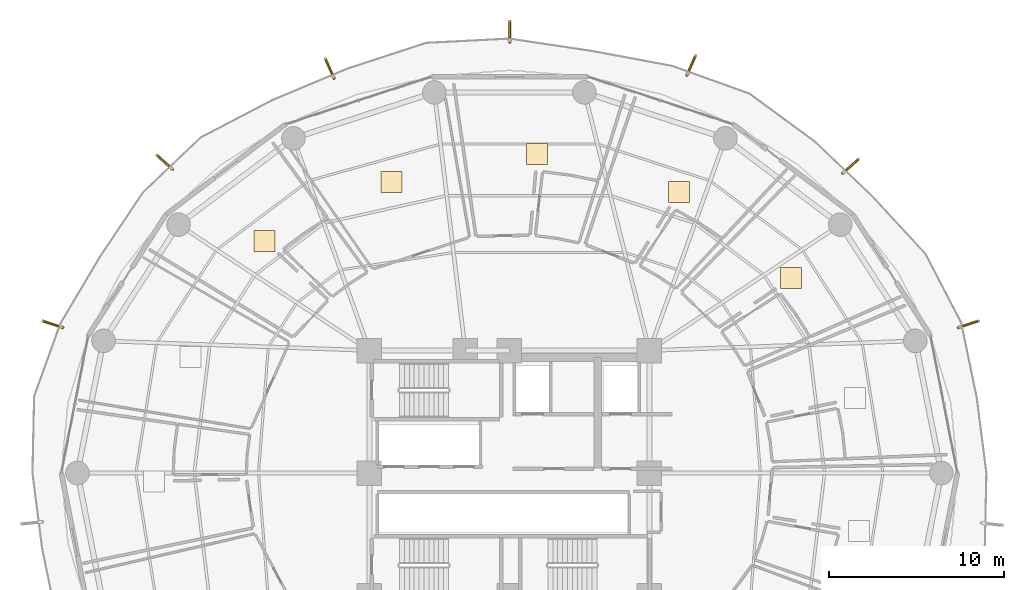
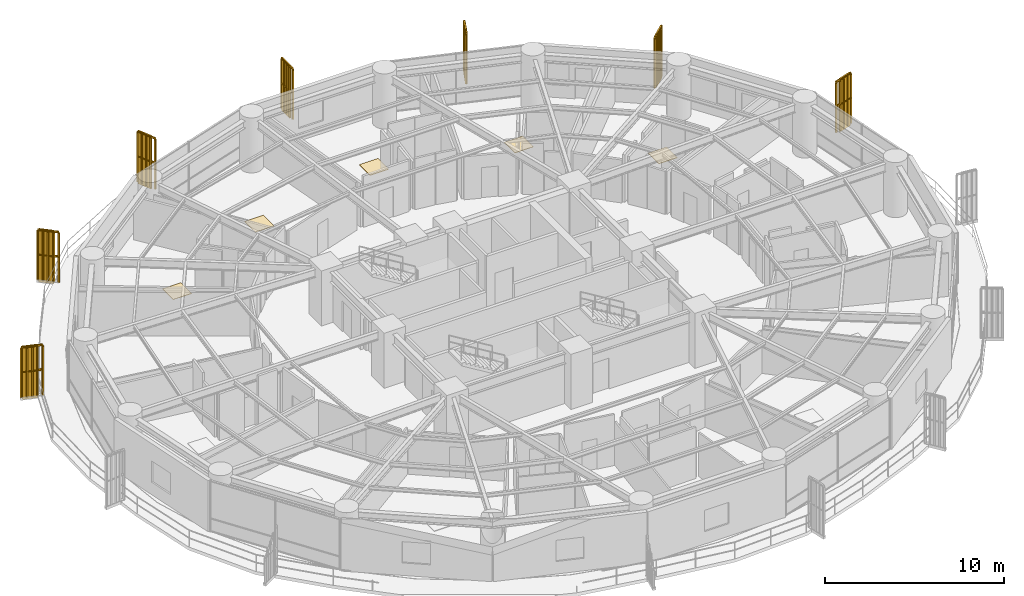
# One storey, part 35 of 35: 7 railings, 7 shading devices, 5 coverings.
"""IFC4 building model written with IfcOpenShell, lengths in metres."""

from ifc_helpers import new_model, si_unit, direction, frame, origin, origin_2d, place, context, subcontext, project, spatial, polyline, rectangle, outline, extrude, source, transform, mapped, material, layer, layer_set, type_object, element, save


model = new_model("IFC4")

# Units and contexts
model_context = context("Model", 3, precision=1e-05, world=origin(), true_north=direction((0.0, 1.0)))
body_context = subcontext(model_context, "Body", "Model", "MODEL_VIEW")
ifc_project = project(units=[si_unit("LENGTHUNIT", "METRE"), si_unit("AREAUNIT", "SQUARE_METRE"), si_unit("VOLUMEUNIT", "CUBIC_METRE"), si_unit("PLANEANGLEUNIT", "RADIAN"), si_unit("MASSUNIT", "GRAM", prefix="KILO")], contexts=[model_context])

# Site, building, storey
site_placement = place(None, origin())
site = spatial("IfcSite", under=ifc_project, at=site_placement, CompositionType="ELEMENT")
building_placement = place(site_placement, origin())
building = spatial("IfcBuilding", under=site, at=building_placement, Name="Kelanora Arch Commons", CompositionType="ELEMENT")
storey_placement = place(building_placement, frame((0.0, 0.0, 91.35009765625)))
storey = spatial("IfcBuildingStorey", under=building, at=storey_placement, Name="L23", CompositionType="ELEMENT", Elevation=91.35009765625)

# Railings
ifc_material_1 = material(Name="Anodised bronze vertical shading fin rib assembly")
railing_type = type_object("IfcRailingType", Name="RAIL-FIN-BRZ", PredefinedType="BALUSTRADE", material=ifc_material_1)
railing_1_placement = place(storey_placement, frame((93.04150390625, 75.119873046875, -0.02001953125)))
element("IfcRailing", 1, at=railing_1_placement, inside=storey, type_object=railing_type, Name="Sweeping Bronze Vertical Fin Blade L23-00", PredefinedType="BALUSTRADE", context=body_context, shape_type="SweptSolid", body=[
    extrude(outline(polyline([(0.06982421875, 0.0), (0.034912109375, 0.060546875), (-0.034912109375, 0.060546875), (-0.06982421875, 0.0), (-0.034912109375, -0.060546875), (0.034912109375, -0.060546875), (0.06982421875, 0.0)])), frame((0.0, 0.0, 3.419921875), z_axis=(0.743693789188, 0.668520416983, 0.0), x_axis=(-0.668520416983, 0.743693789188, 0.0)), (0.0, 0.0, 1.0), 1.214599609375),
    extrude(outline(polyline([(0.06982421875, 0.0), (0.034912109375, 0.060546875), (-0.034912109375, 0.060546875), (-0.06982421875, 0.0), (-0.034912109375, -0.060546875), (0.034912109375, -0.060546875), (0.06982421875, 0.0)])), frame((0.0, 0.0, 1.7451171875), z_axis=(0.743693789188, 0.668520416983, 0.0), x_axis=(-0.668520416983, 0.743693789188, 0.0)), (0.0, 0.0, 1.0), 1.214599609375),
    extrude(outline(polyline([(0.080078125, 0.0), (0.0400390625, 0.0693359375), (-0.0400390625, 0.0693359375), (-0.080078125, 0.0), (-0.0400390625, -0.0693359375), (0.0400390625, -0.0693359375), (0.080078125, 0.0)])), origin(), (0.0, 0.0, 1.0), 3.35009765625),
    extrude(outline(polyline([(0.080078125, 0.0), (0.0400390625, 0.0693359375), (-0.0400390625, 0.0693359375), (-0.080078125, 0.0), (-0.0400390625, -0.0693359375), (0.0400390625, -0.0693359375), (0.080078125, 0.0)])), frame((0.225830078125, 0.203125, 0.0)), (0.0, 0.0, 1.0), 3.35009765625),
    extrude(outline(polyline([(0.080078125, 0.0), (0.0400390625, 0.0693359375), (-0.0400390625, 0.0693359375), (-0.080078125, 0.0), (-0.0400390625, -0.0693359375), (0.0400390625, -0.0693359375), (0.080078125, 0.0)])), frame((0.45166015625, 0.406005859375, 0.0)), (0.0, 0.0, 1.0), 3.35009765625),
    extrude(outline(polyline([(0.080078125, 0.0), (0.0400390625, 0.0693359375), (-0.0400390625, 0.0693359375), (-0.080078125, 0.0), (-0.0400390625, -0.0693359375), (0.0400390625, -0.0693359375), (0.080078125, 0.0)])), frame((0.677490234375, 0.60888671875, 0.0)), (0.0, 0.0, 1.0), 3.35009765625),
    extrude(outline(polyline([(0.080078125, 0.0), (0.0400390625, 0.0693359375), (-0.0400390625, 0.0693359375), (-0.080078125, 0.0), (-0.0400390625, -0.0693359375), (0.0400390625, -0.0693359375), (0.080078125, 0.0)])), frame((0.9033203125, 0.81201171875, 0.0)), (0.0, 0.0, 1.0), 3.35009765625),
])
railing_2_placement = place(storey_placement, frame((84.139404296875, 80.72900390625, -0.02001953125)))
element("IfcRailing", 2, at=railing_2_placement, inside=storey, type_object=railing_type, Name="Sweeping Bronze Vertical Fin Blade L23-01", PredefinedType="BALUSTRADE", context=body_context, shape_type="SweptSolid", body=[
    extrude(outline(polyline([(0.06982421875, 0.0), (0.034912109375, 0.060546875), (-0.034912109375, 0.060546875), (-0.06982421875, 0.0), (-0.034912109375, -0.060546875), (0.034912109375, -0.060546875), (0.06982421875, 0.0)])), frame((0.0, 0.0, 3.419921875), z_axis=(0.407462267635, 0.913222043347, 0.0), x_axis=(-0.913222043347, 0.407462267635, 0.0)), (0.0, 0.0, 1.0), 1.214599609375),
    extrude(outline(polyline([(0.06982421875, 0.0), (0.034912109375, 0.060546875), (-0.034912109375, 0.060546875), (-0.06982421875, 0.0), (-0.034912109375, -0.060546875), (0.034912109375, -0.060546875), (0.06982421875, 0.0)])), frame((0.0, 0.0, 1.7451171875), z_axis=(0.407462267635, 0.913222043347, 0.0), x_axis=(-0.913222043347, 0.407462267635, 0.0)), (0.0, 0.0, 1.0), 1.214599609375),
    extrude(outline(polyline([(0.080078125, 0.0), (0.0400390625, 0.0693359375), (-0.0400390625, 0.0693359375), (-0.080078125, 0.0), (-0.0400390625, -0.0693359375), (0.0400390625, -0.0693359375), (0.080078125, 0.0)])), origin(), (0.0, 0.0, 1.0), 3.35009765625),
    extrude(outline(polyline([(0.080078125, 0.0), (0.0400390625, 0.0693359375), (-0.0400390625, 0.0693359375), (-0.080078125, 0.0), (-0.0400390625, -0.0693359375), (0.0400390625, -0.0693359375), (0.080078125, 0.0)])), frame((0.123779296875, 0.27734375, 0.0)), (0.0, 0.0, 1.0), 3.35009765625),
    extrude(outline(polyline([(0.080078125, 0.0), (0.0400390625, 0.0693359375), (-0.0400390625, 0.0693359375), (-0.080078125, 0.0), (-0.0400390625, -0.0693359375), (0.0400390625, -0.0693359375), (0.080078125, 0.0)])), frame((0.24755859375, 0.5546875, 0.0)), (0.0, 0.0, 1.0), 3.35009765625),
    extrude(outline(polyline([(0.080078125, 0.0), (0.0400390625, 0.0693359375), (-0.0400390625, 0.0693359375), (-0.080078125, 0.0), (-0.0400390625, -0.0693359375), (0.0400390625, -0.0693359375), (0.080078125, 0.0)])), frame((0.37109375, 0.831787109375, 0.0)), (0.0, 0.0, 1.0), 3.35009765625),
    extrude(outline(polyline([(0.080078125, 0.0), (0.0400390625, 0.0693359375), (-0.0400390625, 0.0693359375), (-0.080078125, 0.0), (-0.0400390625, -0.0693359375), (0.0400390625, -0.0693359375), (0.080078125, 0.0)])), frame((0.494873046875, 1.109130859375, 0.0)), (0.0, 0.0, 1.0), 3.35009765625),
])
railing_3_placement = place(storey_placement, frame((74.01806640625, 82.6005859375, -0.02001953125)))
element("IfcRailing", 3, at=railing_3_placement, inside=storey, type_object=railing_type, Name="Sweeping Bronze Vertical Fin Blade L23-02", PredefinedType="BALUSTRADE", context=body_context, shape_type="SweptSolid", body=[
    extrude(outline(polyline([(0.06982421875, 0.0), (0.034912109375, 0.060546875), (-0.034912109375, 0.060546875), (-0.06982421875, 0.0), (-0.034912109375, -0.060546875), (0.034912109375, -0.060546875), (0.06982421875, 0.0)])), frame((0.0, 0.0, 3.419921875), z_axis=(0.000603014966, 0.999999818186, 0.0), x_axis=(-0.999999818186, 0.000603014966, 0.0)), (0.0, 0.0, 1.0), 1.214599609375),
    extrude(outline(polyline([(0.06982421875, 0.0), (0.034912109375, 0.060546875), (-0.034912109375, 0.060546875), (-0.06982421875, 0.0), (-0.034912109375, -0.060546875), (0.034912109375, -0.060546875), (0.06982421875, 0.0)])), frame((0.0, 0.0, 1.7451171875), z_axis=(0.000603014966, 0.999999818186, 0.0), x_axis=(-0.999999818186, 0.000603014966, 0.0)), (0.0, 0.0, 1.0), 1.214599609375),
    extrude(outline(polyline([(0.080078125, 0.0), (0.0400390625, 0.0693359375), (-0.0400390625, 0.0693359375), (-0.080078125, 0.0), (-0.0400390625, -0.0693359375), (0.0400390625, -0.0693359375), (0.080078125, 0.0)])), origin(), (0.0, 0.0, 1.0), 3.35009765625),
    extrude(outline(polyline([(0.080078125, 0.0), (0.0400390625, 0.0693359375), (-0.0400390625, 0.0693359375), (-0.080078125, 0.0), (-0.0400390625, -0.0693359375), (0.0400390625, -0.0693359375), (0.080078125, 0.0)])), frame((0.000244140625, 0.3037109375, 0.0)), (0.0, 0.0, 1.0), 3.35009765625),
    extrude(outline(polyline([(0.080078125, 0.0), (0.0400390625, 0.0693359375), (-0.0400390625, 0.0693359375), (-0.080078125, 0.0), (-0.0400390625, -0.0693359375), (0.0400390625, -0.0693359375), (0.080078125, 0.0)])), frame((0.00048828125, 0.607421875, 0.0)), (0.0, 0.0, 1.0), 3.35009765625),
    extrude(outline(polyline([(0.080078125, 0.0), (0.0400390625, 0.0693359375), (-0.0400390625, 0.0693359375), (-0.080078125, 0.0), (-0.0400390625, -0.0693359375), (0.0400390625, -0.0693359375), (0.080078125, 0.0)])), frame((0.00048828125, 0.910888671875, 0.0)), (0.0, 0.0, 1.0), 3.35009765625),
    extrude(outline(polyline([(0.080078125, 0.0), (0.0400390625, 0.0693359375), (-0.0400390625, 0.0693359375), (-0.080078125, 0.0), (-0.0400390625, -0.0693359375), (0.0400390625, -0.0693359375), (0.080078125, 0.0)])), frame((0.000732421875, 1.214599609375, 0.0)), (0.0, 0.0, 1.0), 3.35009765625),
])
railing_4_placement = place(storey_placement, frame((63.98046875, 80.548828125, -0.02001953125)))
element("IfcRailing", 4, at=railing_4_placement, inside=storey, type_object=railing_type, Name="Sweeping Bronze Vertical Fin Blade L23-03", PredefinedType="BALUSTRADE", context=body_context, shape_type="SweptSolid", body=[
    extrude(outline(polyline([(0.06982421875, 0.0), (0.034912109375, 0.060546875), (-0.034912109375, 0.060546875), (-0.06982421875, 0.0), (-0.034912109375, -0.060546875), (0.034912109375, -0.060546875), (0.06982421875, 0.0)])), frame((0.0, 0.0, 3.419921875), z_axis=(-0.405989276055, 0.913877840703, 0.0), x_axis=(-0.913877840703, -0.405989276055, 0.0)), (0.0, 0.0, 1.0), 1.21484375),
    extrude(outline(polyline([(0.06982421875, 0.0), (0.034912109375, 0.060546875), (-0.034912109375, 0.060546875), (-0.06982421875, 0.0), (-0.034912109375, -0.060546875), (0.034912109375, -0.060546875), (0.06982421875, 0.0)])), frame((0.0, 0.0, 1.7451171875), z_axis=(-0.405989276055, 0.913877840703, 0.0), x_axis=(-0.913877840703, -0.405989276055, 0.0)), (0.0, 0.0, 1.0), 1.21484375),
    extrude(outline(polyline([(0.080078125, 0.0), (0.0400390625, 0.0693359375), (-0.0400390625, 0.0693359375), (-0.080078125, 0.0), (-0.0400390625, -0.0693359375), (0.0400390625, -0.0693359375), (0.080078125, 0.0)])), origin(), (0.0, 0.0, 1.0), 3.35009765625),
    extrude(outline(polyline([(0.080078125, 0.0), (0.0400390625, 0.0693359375), (-0.0400390625, 0.0693359375), (-0.080078125, 0.0), (-0.0400390625, -0.0693359375), (0.0400390625, -0.0693359375), (0.080078125, 0.0)])), frame((-0.123291015625, 0.277587890625, 0.0)), (0.0, 0.0, 1.0), 3.35009765625),
    extrude(outline(polyline([(0.080078125, 0.0), (0.0400390625, 0.0693359375), (-0.0400390625, 0.0693359375), (-0.080078125, 0.0), (-0.0400390625, -0.0693359375), (0.0400390625, -0.0693359375), (0.080078125, 0.0)])), frame((-0.24658203125, 0.55517578125, 0.0)), (0.0, 0.0, 1.0), 3.35009765625),
    extrude(outline(polyline([(0.080078125, 0.0), (0.0400390625, 0.0693359375), (-0.0400390625, 0.0693359375), (-0.080078125, 0.0), (-0.0400390625, -0.0693359375), (0.0400390625, -0.0693359375), (0.080078125, 0.0)])), frame((-0.369873046875, 0.83251953125, 0.0)), (0.0, 0.0, 1.0), 3.35009765625),
    extrude(outline(polyline([(0.080078125, 0.0), (0.0400390625, 0.0693359375), (-0.0400390625, 0.0693359375), (-0.080078125, 0.0), (-0.0400390625, -0.0693359375), (0.0400390625, -0.0693359375), (0.080078125, 0.0)])), frame((-0.4931640625, 1.110107421875, 0.0)), (0.0, 0.0, 1.0), 3.35009765625),
])
railing_5_placement = place(storey_placement, frame((54.76171875, 75.347900390625, -0.02001953125)))
element("IfcRailing", 5, at=railing_5_placement, inside=storey, type_object=railing_type, Name="Sweeping Bronze Vertical Fin Blade L23-04", PredefinedType="BALUSTRADE", context=body_context, shape_type="SweptSolid", body=[
    extrude(outline(polyline([(0.06982421875, 0.0), (0.034912109375, 0.060546875), (-0.034912109375, 0.060546875), (-0.06982421875, 0.0), (-0.034912109375, -0.060546875), (0.034912109375, -0.060546875), (0.06982421875, 0.0)])), frame((0.0, 0.0, 3.419921875), z_axis=(-0.742744162754, 0.669575319658, 0.0), x_axis=(-0.669575319658, -0.742744162754, 0.0)), (0.0, 0.0, 1.0), 1.214599609375),
    extrude(outline(polyline([(0.06982421875, 0.0), (0.034912109375, 0.060546875), (-0.034912109375, 0.060546875), (-0.06982421875, 0.0), (-0.034912109375, -0.060546875), (0.034912109375, -0.060546875), (0.06982421875, 0.0)])), frame((0.0, 0.0, 1.7451171875), z_axis=(-0.742744162754, 0.669575319658, 0.0), x_axis=(-0.669575319658, -0.742744162754, 0.0)), (0.0, 0.0, 1.0), 1.214599609375),
    extrude(outline(polyline([(0.080078125, 0.0), (0.0400390625, 0.0693359375), (-0.0400390625, 0.0693359375), (-0.080078125, 0.0), (-0.0400390625, -0.0693359375), (0.0400390625, -0.0693359375), (0.080078125, 0.0)])), origin(), (0.0, 0.0, 1.0), 3.35009765625),
    extrude(outline(polyline([(0.080078125, 0.0), (0.0400390625, 0.0693359375), (-0.0400390625, 0.0693359375), (-0.080078125, 0.0), (-0.0400390625, -0.0693359375), (0.0400390625, -0.0693359375), (0.080078125, 0.0)])), frame((-0.2255859375, 0.203369140625, 0.0)), (0.0, 0.0, 1.0), 3.35009765625),
    extrude(outline(polyline([(0.080078125, 0.0), (0.0400390625, 0.0693359375), (-0.0400390625, 0.0693359375), (-0.080078125, 0.0), (-0.0400390625, -0.0693359375), (0.0400390625, -0.0693359375), (0.080078125, 0.0)])), frame((-0.451171875, 0.40673828125, 0.0)), (0.0, 0.0, 1.0), 3.35009765625),
    extrude(outline(polyline([(0.080078125, 0.0), (0.0400390625, 0.0693359375), (-0.0400390625, 0.0693359375), (-0.080078125, 0.0), (-0.0400390625, -0.0693359375), (0.0400390625, -0.0693359375), (0.080078125, 0.0)])), frame((-0.676513671875, 0.60986328125, 0.0)), (0.0, 0.0, 1.0), 3.35009765625),
    extrude(outline(polyline([(0.080078125, 0.0), (0.0400390625, 0.0693359375), (-0.0400390625, 0.0693359375), (-0.080078125, 0.0), (-0.0400390625, -0.0693359375), (0.0400390625, -0.0693359375), (0.080078125, 0.0)])), frame((-0.902099609375, 0.813232421875, 0.0)), (0.0, 0.0, 1.0), 3.35009765625),
])
railing_6_placement = place(storey_placement, frame((48.491455078125, 66.308837890625, -0.02001953125)))
element("IfcRailing", 6, at=railing_6_placement, inside=storey, type_object=railing_type, Name="Sweeping Bronze Vertical Fin Blade L23-05", PredefinedType="BALUSTRADE", context=body_context, shape_type="SweptSolid", body=[
    extrude(outline(polyline([(0.06982421875, 0.0), (0.034912109375, 0.060546875), (-0.034912109375, 0.060546875), (-0.06982421875, 0.0), (-0.034912109375, -0.060546875), (0.034912109375, -0.060546875), (0.06982421875, 0.0)])), frame((0.0, 0.0, 3.419921875), z_axis=(-0.950812239316, 0.309767792978, 0.0), x_axis=(-0.309767792978, -0.950812239316, 0.0)), (0.0, 0.0, 1.0), 1.214599609375),
    extrude(outline(polyline([(0.06982421875, 0.0), (0.034912109375, 0.060546875), (-0.034912109375, 0.060546875), (-0.06982421875, 0.0), (-0.034912109375, -0.060546875), (0.034912109375, -0.060546875), (0.06982421875, 0.0)])), frame((0.0, 0.0, 1.7451171875), z_axis=(-0.950812239316, 0.309767792978, 0.0), x_axis=(-0.309767792978, -0.950812239316, 0.0)), (0.0, 0.0, 1.0), 1.214599609375),
    extrude(outline(polyline([(0.080078125, 0.0), (0.0400390625, 0.0693359375), (-0.0400390625, 0.0693359375), (-0.080078125, 0.0), (-0.0400390625, -0.0693359375), (0.0400390625, -0.0693359375), (0.080078125, 0.0)])), origin(), (0.0, 0.0, 1.0), 3.35009765625),
    extrude(outline(polyline([(0.080078125, 0.0), (0.0400390625, 0.0693359375), (-0.0400390625, 0.0693359375), (-0.080078125, 0.0), (-0.0400390625, -0.0693359375), (0.0400390625, -0.0693359375), (0.080078125, 0.0)])), frame((-0.28857421875, 0.093994140625, 0.0)), (0.0, 0.0, 1.0), 3.35009765625),
    extrude(outline(polyline([(0.080078125, 0.0), (0.0400390625, 0.0693359375), (-0.0400390625, 0.0693359375), (-0.080078125, 0.0), (-0.0400390625, -0.0693359375), (0.0400390625, -0.0693359375), (0.080078125, 0.0)])), frame((-0.577392578125, 0.18798828125, 0.0)), (0.0, 0.0, 1.0), 3.35009765625),
    extrude(outline(polyline([(0.080078125, 0.0), (0.0400390625, 0.0693359375), (-0.0400390625, 0.0693359375), (-0.080078125, 0.0), (-0.0400390625, -0.0693359375), (0.0400390625, -0.0693359375), (0.080078125, 0.0)])), frame((-0.8662109375, 0.2822265625, 0.0)), (0.0, 0.0, 1.0), 3.35009765625),
    extrude(outline(polyline([(0.080078125, 0.0), (0.0400390625, 0.0693359375), (-0.0400390625, 0.0693359375), (-0.080078125, 0.0), (-0.0400390625, -0.0693359375), (0.0400390625, -0.0693359375), (0.080078125, 0.0)])), frame((-1.15478515625, 0.376220703125, 0.0)), (0.0, 0.0, 1.0), 3.35009765625),
])
railing_7_placement = place(storey_placement, frame((99.64697265625, 66.3125, -0.02001953125)))
element("IfcRailing", 7, at=railing_7_placement, inside=storey, type_object=railing_type, Name="Sweeping Bronze Vertical Fin Blade L23-14", PredefinedType="BALUSTRADE", context=body_context, shape_type="SweptSolid", body=[
    extrude(outline(polyline([(0.06982421875, 0.0), (0.034912109375, 0.060546875), (-0.034912109375, 0.060546875), (-0.06982421875, 0.0), (-0.034912109375, -0.060546875), (0.034912109375, -0.060546875), (0.06982421875, 0.0)])), frame((0.0, 0.0, 3.419921875), z_axis=(0.951264264902, 0.308376877084, 0.0), x_axis=(-0.308376877084, 0.951264264902, 0.0)), (0.0, 0.0, 1.0), 1.21435546875),
    extrude(outline(polyline([(0.06982421875, 0.0), (0.034912109375, 0.060546875), (-0.034912109375, 0.060546875), (-0.06982421875, 0.0), (-0.034912109375, -0.060546875), (0.034912109375, -0.060546875), (0.06982421875, 0.0)])), frame((0.0, 0.0, 1.7451171875), z_axis=(0.951264264902, 0.308376877084, 0.0), x_axis=(-0.308376877084, 0.951264264902, 0.0)), (0.0, 0.0, 1.0), 1.21435546875),
    extrude(outline(polyline([(0.080078125, 0.0), (0.0400390625, 0.0693359375), (-0.0400390625, 0.0693359375), (-0.080078125, 0.0), (-0.0400390625, -0.0693359375), (0.0400390625, -0.0693359375), (0.080078125, 0.0)])), origin(), (0.0, 0.0, 1.0), 3.35009765625),
    extrude(outline(polyline([(0.080078125, 0.0), (0.0400390625, 0.0693359375), (-0.0400390625, 0.0693359375), (-0.080078125, 0.0), (-0.0400390625, -0.0693359375), (0.0400390625, -0.0693359375), (0.080078125, 0.0)])), frame((0.288818359375, 0.09375, 0.0)), (0.0, 0.0, 1.0), 3.35009765625),
    extrude(outline(polyline([(0.080078125, 0.0), (0.0400390625, 0.0693359375), (-0.0400390625, 0.0693359375), (-0.080078125, 0.0), (-0.0400390625, -0.0693359375), (0.0400390625, -0.0693359375), (0.080078125, 0.0)])), frame((0.57763671875, 0.187255859375, 0.0)), (0.0, 0.0, 1.0), 3.35009765625),
    extrude(outline(polyline([(0.080078125, 0.0), (0.0400390625, 0.0693359375), (-0.0400390625, 0.0693359375), (-0.080078125, 0.0), (-0.0400390625, -0.0693359375), (0.0400390625, -0.0693359375), (0.080078125, 0.0)])), frame((0.866455078125, 0.28076171875, 0.0)), (0.0, 0.0, 1.0), 3.35009765625),
    extrude(outline(polyline([(0.080078125, 0.0), (0.0400390625, 0.0693359375), (-0.0400390625, 0.0693359375), (-0.080078125, 0.0), (-0.0400390625, -0.0693359375), (0.0400390625, -0.0693359375), (0.080078125, 0.0)])), frame((1.1552734375, 0.37451171875, 0.0)), (0.0, 0.0, 1.0), 3.35009765625),
])

# Shading devices
ifc_material_2 = material(Name="Terracotta ceramic-clad extruded aluminium fin", Category="masonry")
shading_device_type = type_object("IfcShadingDeviceType", Name="SHD-FIN-FLARE", PredefinedType="USERDEFINED", material=ifc_material_2)
shared_shape_1 = source(origin(), body_context, "Body", "SweptSolid", [
    extrude(rectangle(XDim=0.8798828125, YDim=0.090087890625, at=origin_2d()), origin(), (0.0, 0.0, 1.0), 3.610107421875),
])
for number, where, z_axis, x_axis, name in (
    (8, (93.576904296875, 75.601318359375, -0.14013671875), (0.0, 0.0, 1.0), (0.743611785628, 0.668611630377, 0.0), "Sweeping Terracotta Fin L23-00"),
    (9, (84.432861328125, 81.386474609375, -0.14013671875), (0.0, 0.0, 1.0), (0.407374318949, 0.913261279296, 0.0), "Sweeping Terracotta Fin L23-01"),
    (10, (74.0185546875, 83.320556640625, -0.14013671875), (0.0, 0.0, 1.0), (0.000698131644, 0.999999756306, 0.0), "Sweeping Terracotta Fin L23-02"),
    (11, (63.68798828125, 81.206787109375, -0.14013671875), (0.0, 0.0, 1.0), (-0.406098768964, 0.913829190738, 0.0), "Sweeping Terracotta Fin L23-03"),
    (12, (54.226806640625, 75.830078125, -0.14013671875), (0.0, 0.0, 1.0), (-0.742677503127, 0.669649256215, 0.0), "Sweeping Terracotta Fin L23-04"),
    (13, (47.806884765625, 66.531982421875, -0.14013671875), (0.0, 0.0, 1.0), (-0.950840549986, 0.309680881719, 0.0), "Sweeping Terracotta Fin L23-05"),
    (14, (100.331787109375, 66.534423828125, -0.14013671875), (0.0, 0.0, 1.0), (0.951272019071, 0.30835295642, 0.0), "Sweeping Terracotta Fin L23-14"),
):
    element("IfcShadingDevice", number, at=place(storey_placement, frame(where, z_axis=z_axis, x_axis=x_axis)), inside=storey, type_object=shading_device_type, Name=name, ObjectType="FIN", PredefinedType="USERDEFINED", context=body_context, shape_type="MappedRepresentation", body=[
        mapped(shared_shape_1, transform((0.0, 0.0, 0.0), scale=1.0)),
    ])

# Coverings
ifc_material_3 = material(Name="Polished local granite terrazzo flooring", Category="masonry")
ifc_layer = layer(ifc_material_3, 0.030029296875)
ifc_layer_set = layer_set([ifc_layer], Name="Polished local granite terrazzo flooring")
covering_type = type_object("IfcCoveringType", Name="COV-FLR-TER", PredefinedType="FLOORING", material=ifc_layer_set)
shared_shape_2 = source(origin(), body_context, "Body", "SweptSolid", [
    extrude(rectangle(XDim=1.199951171875, YDim=1.199951171875, at=origin_2d()), origin(), (0.0, 0.0, 1.0), 0.030029296875),
])
for number, where, z_axis, x_axis, name in (
    (15, (90.10302734375, 69.137939453125, 0.0), (0.0, 0.0, 1.0), (1.0, 0.0, 0.0), "Co-Living Studio L23-01 Terrazzo Finish"),
    (16, (83.677001953125, 74.068359375, 0.0), (0.0, 0.0, 1.0), (1.0, 0.0, 0.0), "Co-Living Studio L23-02 Terrazzo Finish"),
    (17, (75.57763671875, 76.219970703125, 0.0), (0.0, 0.0, 1.0), (1.0, 0.0, 0.0), "Co-Living Studio L23-03 Terrazzo Finish"),
    (18, (67.273681640625, 74.636962890625, 0.0), (0.0, 0.0, 1.0), (1.0, 0.0, 0.0), "Communal Dining and Social Hall L23-04 Terrazzo Finish"),
    (19, (60.00830078125, 71.244873046875, 0.0), (0.0, 0.0, 1.0), (1.0, 0.0, 0.0), "Co-Living Studio L23-05 Terrazzo Finish"),
):
    element("IfcCovering", number, at=place(storey_placement, frame(where, z_axis=z_axis, x_axis=x_axis)), inside=storey, type_object=covering_type, Name=name, PredefinedType="FLOORING", context=body_context, shape_type="MappedRepresentation", body=[
        mapped(shared_shape_2, transform((0.0, 0.0, 0.0), scale=1.0)),
    ])

save(model, "model.ifc")
